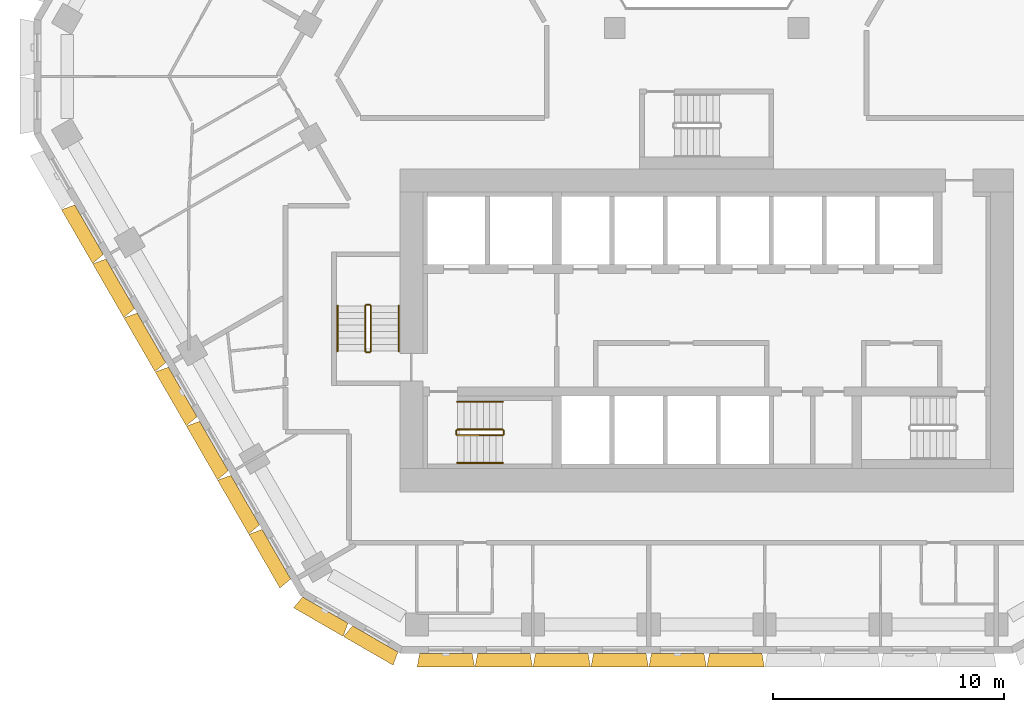
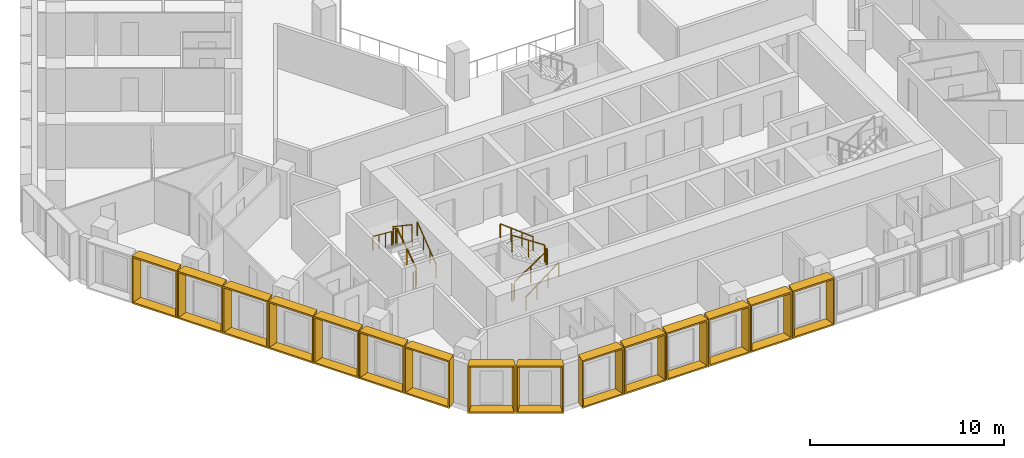
# One storey, part 15 of 18: 15 shading devices, 12 railings.
"""IFC4 building model written with IfcOpenShell, lengths in metres."""

import ifcopenshell
import ifcopenshell.guid

model = None  # the IFC model being written
_history = None  # IfcOwnerHistory: only IFC2X3 demands one
_inside = {}  # id of a spatial element -> (the spatial element, [elements in it])
_under = {}  # id of a project, library or spatial element -> (it, [spatial elements below it])
_declared = {}  # id of a project -> (the project, [libraries it declares])
_typed = {}  # id of a type object -> (the type object, [elements of that type])
_made_of = {}  # id of a material, layer set ... -> (it, [elements and type objects made of it])


def new_model(schema):
    """Start an empty IFC model of exactly this schema.

    Asked for "IFC4X3", IfcOpenShell would pick the latest addendum, in which some entities
    have other attributes; the version numbers below select the first issue.
    IFC2X3 requires an IfcOwnerHistory on every rooted entity: one is made here for all.
    """
    global model, _history
    if schema == "IFC4X3":
        model = ifcopenshell.file(schema_version=(4, 3, 0, 0))
    else:
        model = ifcopenshell.file(schema=schema)
    _inside.clear()
    _under.clear()
    _declared.clear()
    _typed.clear()
    _made_of.clear()
    _history = None
    if model.schema == "IFC2X3":
        org = make("IfcOrganization", Name="unknown")
        user = make(
            "IfcPersonAndOrganization",
            ThePerson=make("IfcPerson", FamilyName="unknown"),
            TheOrganization=org,
        )
        app = make(
            "IfcApplication",
            ApplicationDeveloper=org,
            Version="unknown",
            ApplicationFullName="unknown",
            ApplicationIdentifier="unknown",
        )
        _history = make(
            "IfcOwnerHistory",
            OwningUser=user,
            OwningApplication=app,
            ChangeAction="ADDED",
            CreationDate=0,
        )
    return model


def make(cls, **values):
    """One entity of the class cls with the attributes given. An attribute that is None is left unset."""
    return model.create_entity(
        cls, **{name: value for name, value in values.items() if value is not None}
    )


def entity(cls, *values):
    """Any entity or typed value of the class cls, its attributes in the order of the schema. None: left unset."""
    e = model.create_entity(cls)
    for i, value in enumerate(values):
        if value is not None:
            e[i] = value
    return e


def rooted(cls, **values):
    """An entity with a GlobalId (a new one), such as an element, a storey or a relation."""
    return make(cls, GlobalId=ifcopenshell.guid.new(), OwnerHistory=_history, **values)


def si_unit(unit_type, name, prefix=None):
    """IfcSIUnit, for example si_unit("LENGTHUNIT", "METRE", prefix="MILLI")."""
    return make("IfcSIUnit", UnitType=unit_type, Prefix=prefix, Name=name)


def assignment(units):
    """IfcUnitAssignment: the units of a project."""
    return None if units is None else make("IfcUnitAssignment", Units=units)


def point(xyz):
    """IfcCartesianPoint."""
    return None if xyz is None else make("IfcCartesianPoint", Coordinates=xyz)


def direction(xyz):
    """IfcDirection."""
    return None if xyz is None else make("IfcDirection", DirectionRatios=xyz)


def frame(location, z_axis=None, x_axis=None):
    """IfcAxis2Placement3D, a coordinate frame: its origin and axes. An axis left out is left unset."""
    return make(
        "IfcAxis2Placement3D",
        Location=point(location),
        Axis=direction(z_axis),
        RefDirection=direction(x_axis),
    )


def frame_2d(location, x_axis=None):
    """IfcAxis2Placement2D, a coordinate frame in the plane: its origin and x axis."""
    return make(
        "IfcAxis2Placement2D", Location=point(location), RefDirection=direction(x_axis)
    )


def origin():
    """The frame at (0, 0, 0) with its axes left unset."""
    return frame((0.0, 0.0, 0.0))


def origin_2d():
    """The frame at (0, 0) in the plane with its x axis left unset."""
    return frame_2d((0.0, 0.0))


def place(relative_to, where):
    """IfcLocalPlacement: puts the frame where relative to a parent placement (None: the world)."""
    return make(
        "IfcLocalPlacement", PlacementRelTo=relative_to, RelativePlacement=where
    )


def context(
    kind, dimensions, precision=None, world=None, true_north=None, identifier=None
):
    """IfcGeometricRepresentationContext, for example the 3D "Model" context."""
    return make(
        "IfcGeometricRepresentationContext",
        ContextIdentifier=identifier,
        ContextType=kind,
        CoordinateSpaceDimension=dimensions,
        Precision=precision,
        WorldCoordinateSystem=world,
        TrueNorth=true_north,
    )


def subcontext(parent, identifier, kind, view, scale=None):
    """IfcGeometricRepresentationSubContext, for example "Body" below "Model"."""
    return make(
        "IfcGeometricRepresentationSubContext",
        ContextIdentifier=identifier,
        ContextType=kind,
        ParentContext=parent,
        TargetScale=scale,
        TargetView=view,
    )


def project(units=None, contexts=None):
    """IfcProject with its units and contexts."""
    return rooted(
        "IfcProject",
        Name="project",
        RepresentationContexts=contexts,
        UnitsInContext=assignment(units),
    )


def spatial(cls, under=None, at=None, **own):
    """A site, building, storey or space (cls), placed at a placement, below another one or the project."""
    s = rooted(cls, ObjectPlacement=at, **own)
    if under is not None:
        _under.setdefault(under.id(), (under, []))[1].append(s)
    return s


def profile(cls, at=None, kind="AREA", **sizes):
    """A parametric profile (cls). Its sizes go by their IFC names, for example OverallWidth=200.0."""
    return make(cls, ProfileType=kind, Position=at, **sizes)


def rectangle(**sizes):
    """IfcRectangleProfileDef."""
    return profile("IfcRectangleProfileDef", **sizes)


def extrude(swept, where, along, depth):
    """IfcExtrudedAreaSolid: the profile swept, set in the frame where, extruded along a direction by depth."""
    return make(
        "IfcExtrudedAreaSolid",
        SweptArea=swept,
        Position=where,
        ExtrudedDirection=direction(along),
        Depth=depth,
    )


def shape(context_of_items, identifier, shape_type, items):
    """IfcShapeRepresentation: the items that make up one representation, for example the "Body"."""
    return make(
        "IfcShapeRepresentation",
        ContextOfItems=context_of_items,
        RepresentationIdentifier=identifier,
        RepresentationType=shape_type,
        Items=items,
    )


def source(mapping_origin, context_of_items, identifier, shape_type, items):
    """IfcRepresentationMap: a shape defined once, which mapped items show again and again."""
    return make(
        "IfcRepresentationMap",
        MappingOrigin=mapping_origin,
        MappedRepresentation=shape(context_of_items, identifier, shape_type, items),
    )


def transform(
    local_origin,
    x_axis=None,
    y_axis=None,
    z_axis=None,
    scale=None,
    scale2=None,
    scale3=None,
    uniform=True,
):
    """IfcCartesianTransformationOperator3D, or its non-uniform kind. x_axis, y_axis, z_axis: its Axis1, 2, 3."""
    if uniform:
        return make(
            "IfcCartesianTransformationOperator3D",
            Axis1=direction(x_axis),
            Axis2=direction(y_axis),
            LocalOrigin=point(local_origin),
            Scale=scale,
            Axis3=direction(z_axis),
        )
    return make(
        "IfcCartesianTransformationOperator3DnonUniform",
        Axis1=direction(x_axis),
        Axis2=direction(y_axis),
        LocalOrigin=point(local_origin),
        Scale=scale,
        Axis3=direction(z_axis),
        Scale2=scale2,
        Scale3=scale3,
    )


def mapped(mapping_source, mapping_target):
    """IfcMappedItem: shows the shape of a source again, moved by a transform."""
    return make(
        "IfcMappedItem", MappingSource=mapping_source, MappingTarget=mapping_target
    )


def material(Name=None, Category=None):
    """IfcMaterial."""
    return make("IfcMaterial", Name=Name, Category=Category)


def made_of(thing, what):
    """Note that an element or type object is made of a material, layer set ...; save() writes the relation."""
    if what is not None:
        _made_of.setdefault(what.id(), (what, []))[1].append(thing)
    return thing


def type_object(cls, material=None, **own):
    """A type object (cls), such as IfcWallType, which elements share."""
    return made_of(rooted(cls, **own), material)


def type_shapes(of_type, sources):
    """Give a type object the sources (RepresentationMaps) that its elements show as mapped items."""
    of_type.RepresentationMaps = sources


def element(
    cls,
    number,
    at=None,
    inside=None,
    cuts=None,
    type_object=None,
    material=None,
    context=None,
    identifier="Body",
    shape_type=None,
    held_by="IfcProductDefinitionShape",
    body=None,
    shapes=None,
    **own,
):
    """One element of the class cls, such as IfcWall. Its Tag is "e" and its number.

    at: its placement. inside: the storey or other place that contains it. cuts: it is an
    opening in that element (IfcRelVoidsElement). A single representation is given by context,
    identifier, shape_type and body (its items); several are given by shapes. held_by: the class
    of the entity that holds the representations. save() writes the other relations.
    """
    e = rooted(cls, Tag="e%d" % number, ObjectPlacement=at, **own)
    if body is not None:
        shapes = [shape(context, identifier, shape_type, body)]
    if shapes is not None:
        e.Representation = make(held_by, Representations=shapes)
    if inside is not None:
        _inside.setdefault(inside.id(), (inside, []))[1].append(e)
    if cuts is not None:
        rooted(
            "IfcRelVoidsElement", RelatingBuildingElement=cuts, RelatedOpeningElement=e
        )
    if type_object is not None:
        _typed.setdefault(type_object.id(), (type_object, []))[1].append(e)
    return made_of(e, material)


def aggregate(whole, parts):
    """IfcRelAggregates: a whole, such as a stair, and the parts it consists of."""
    return rooted("IfcRelAggregates", RelatingObject=whole, RelatedObjects=parts)


def save(model, path):
    """Write the relations noted so far, then the file.

    IfcRelAggregates (storeys below a building ...), IfcRelContainedInSpatialStructure (elements
    in a storey), IfcRelDefinesByType, IfcRelAssociatesMaterial and IfcRelDeclares: one each for
    every whole, place, type object, material and project.
    """
    for whole, parts in _under.values():
        aggregate(whole, parts)
    for where, things in _inside.values():
        rooted(
            "IfcRelContainedInSpatialStructure",
            RelatedElements=things,
            RelatingStructure=where,
        )
    for kind, things in _typed.values():
        rooted("IfcRelDefinesByType", RelatedObjects=things, RelatingType=kind)
    for what, things in _made_of.values():
        rooted("IfcRelAssociatesMaterial", RelatedObjects=things, RelatingMaterial=what)
    for by, libraries in _declared.values():
        rooted("IfcRelDeclares", RelatingContext=by, RelatedDefinitions=libraries)
    model.write(path)


model = new_model("IFC4")

# Units and contexts
model_context = context("Model", 3, precision=1e-05, world=origin(), true_north=direction((0.0, 1.0)))
body_context = subcontext(model_context, "Body", "Model", "MODEL_VIEW")
ifc_project = project(units=[si_unit("LENGTHUNIT", "METRE"), si_unit("AREAUNIT", "SQUARE_METRE"), si_unit("VOLUMEUNIT", "CUBIC_METRE"), si_unit("PLANEANGLEUNIT", "RADIAN"), si_unit("MASSUNIT", "GRAM", prefix="KILO")], contexts=[model_context])

# Site, building, storey
site_placement = place(None, origin())
site = spatial("IfcSite", under=ifc_project, at=site_placement, CompositionType="ELEMENT")
building_placement = place(site_placement, origin())
building = spatial("IfcBuilding", under=site, at=building_placement, Name="Beryl Residences", CompositionType="ELEMENT")
storey_placement = place(building_placement, frame((0.0, 0.0, 81.0)))
storey = spatial("IfcBuildingStorey", under=building, at=storey_placement, Name="L24", CompositionType="ELEMENT", Elevation=81.0)

# Shading devices
ifc_material_1 = material(Name="Aluminium pale anodised", Category="aluminium")
shading_device_type_1 = type_object("IfcShadingDeviceType", Name="FR250-60A OUTER SKIN frame 600 mm deep, splay 10/10 deg, 2500 x 3000 mm cell", PredefinedType="USERDEFINED", material=ifc_material_1)
cartesian_point_1 = entity("IfcCartesianPoint", [-1.134033203125, 0.0])
cartesian_point_2 = entity("IfcCartesianPoint", [-1.052734375, 0.10009765625])
cartesian_point_3 = entity("IfcCartesianPoint", [-1.23974609375, 0.0])
cartesian_point_4 = entity("IfcCartesianPoint", [-1.158447265625, 0.10009765625])
shared_shape_1 = source(origin(), body_context, "Body", "SweptSolid", [
    entity("IfcExtrudedAreaSolidTapered", entity("IfcArbitraryProfileDefWithVoids", "AREA", None, entity("IfcPolyline", [cartesian_point_1, entity("IfcCartesianPoint", [1.134033203125, 0.0]), entity("IfcCartesianPoint", [1.134033203125, 3.0]), entity("IfcCartesianPoint", [-1.134033203125, 3.0]), cartesian_point_1]), [entity("IfcPolyline", [cartesian_point_2, entity("IfcCartesianPoint", [1.052734375, 0.10009765625]), entity("IfcCartesianPoint", [1.052734375, 2.89990234375]), entity("IfcCartesianPoint", [-1.052734375, 2.89990234375]), cartesian_point_2])]), entity("IfcAxis2Placement3D", entity("IfcCartesianPoint", [0.0, 0.0, 0.0]), entity("IfcDirection", [0.0, 1.0, 0.0]), entity("IfcDirection", [-1.0, 0.0, 0.0])), entity("IfcDirection", [0.0, 0.0, 1.0]), 0.60009765625, entity("IfcArbitraryProfileDefWithVoids", "AREA", None, entity("IfcPolyline", [cartesian_point_3, entity("IfcCartesianPoint", [1.23974609375, 0.0]), entity("IfcCartesianPoint", [1.23974609375, 3.0]), entity("IfcCartesianPoint", [-1.23974609375, 3.0]), cartesian_point_3]), [entity("IfcPolyline", [cartesian_point_4, entity("IfcCartesianPoint", [1.158447265625, 0.10009765625]), entity("IfcCartesianPoint", [1.158447265625, 2.89990234375]), entity("IfcCartesianPoint", [-1.158447265625, 2.89990234375]), cartesian_point_4])])),
])
type_shapes(shading_device_type_1, [shared_shape_1])
for number, where, z_axis, x_axis, name in (
    (1, (-16.527099609375, -24.125, 0.0), (0.0, 0.0, 1.0), (-0.866025403784, 0.5, 0.0), "FR250-60A frame L24 SW-S 1"),
    (2, (-14.361083984375, -25.375, 0.0), (0.0, 0.0, 1.0), (-0.866025403784, 0.5, 0.0), "FR250-60A frame L24 SW-S 2"),
):
    element("IfcShadingDevice", number, at=place(storey_placement, frame(where, z_axis=z_axis, x_axis=x_axis)), inside=storey, type_object=shading_device_type_1, Name=name, ObjectType="OUTER SKIN", PredefinedType="USERDEFINED", context=body_context, shape_type="MappedRepresentation", body=[
        mapped(shared_shape_1, transform((0.0, 0.0, 0.0))),
    ])
ifc_material_2 = material(Name="Aluminium pale anodised", Category="aluminium")
shading_device_type_2 = type_object("IfcShadingDeviceType", Name="FR251-60A OUTER SKIN frame 600 mm deep, splay 10/10 deg, 2510 x 3000 mm cell", PredefinedType="USERDEFINED", material=ifc_material_2)
cartesian_point_5 = entity("IfcCartesianPoint", [-1.138916015625, 0.0])
cartesian_point_6 = entity("IfcCartesianPoint", [-1.057861328125, 0.10009765625])
cartesian_point_7 = entity("IfcCartesianPoint", [-1.244873046875, 0.0])
cartesian_point_8 = entity("IfcCartesianPoint", [-1.16357421875, 0.10009765625])
shared_shape_2 = source(origin(), body_context, "Body", "SweptSolid", [
    entity("IfcExtrudedAreaSolidTapered", entity("IfcArbitraryProfileDefWithVoids", "AREA", None, entity("IfcPolyline", [cartesian_point_5, entity("IfcCartesianPoint", [1.138916015625, 0.0]), entity("IfcCartesianPoint", [1.138916015625, 3.0]), entity("IfcCartesianPoint", [-1.138916015625, 3.0]), cartesian_point_5]), [entity("IfcPolyline", [cartesian_point_6, entity("IfcCartesianPoint", [1.057861328125, 0.10009765625]), entity("IfcCartesianPoint", [1.057861328125, 2.89990234375]), entity("IfcCartesianPoint", [-1.057861328125, 2.89990234375]), cartesian_point_6])]), entity("IfcAxis2Placement3D", entity("IfcCartesianPoint", [0.0, 0.0, 0.0]), entity("IfcDirection", [0.0, 1.0, 0.0]), entity("IfcDirection", [-1.0, 0.0, 0.0])), entity("IfcDirection", [0.0, 0.0, 1.0]), 0.60009765625, entity("IfcArbitraryProfileDefWithVoids", "AREA", None, entity("IfcPolyline", [cartesian_point_7, entity("IfcCartesianPoint", [1.244873046875, 0.0]), entity("IfcCartesianPoint", [1.244873046875, 3.0]), entity("IfcCartesianPoint", [-1.244873046875, 3.0]), cartesian_point_7]), [entity("IfcPolyline", [cartesian_point_8, entity("IfcCartesianPoint", [1.16357421875, 0.10009765625]), entity("IfcCartesianPoint", [1.16357421875, 2.89990234375]), entity("IfcCartesianPoint", [-1.16357421875, 2.89990234375]), cartesian_point_8])])),
])
type_shapes(shading_device_type_2, [shared_shape_2])
for number, where, z_axis, x_axis, name in (
    (3, (-11.301025390625, -26.0, 0.0), (0.0, 0.0, 1.0), (-1.0, 0.0, 0.0), "FR251-60A frame L24 S 1"),
    (4, (-8.7900390625, -26.0, 0.0), (0.0, 0.0, 1.0), (-1.0, 0.0, 0.0), "FR251-60A frame L24 S 2"),
    (5, (-6.278076171875, -26.0, 0.0), (0.0, 0.0, 1.0), (-1.0, 0.0, 0.0), "FR251-60A frame L24 S 3"),
    (6, (-3.76708984375, -26.0, 0.0), (0.0, 0.0, 1.0), (-1.0, 0.0, 0.0), "FR251-60A frame L24 S 4"),
    (7, (-1.2548828125, -26.0, 0.0), (0.0, 0.0, 1.0), (-1.0, 0.0, 0.0), "FR251-60A frame L24 S 5"),
    (8, (1.256103515625, -26.0, 0.0), (0.0, 0.0, 1.0), (-1.0, 0.0, 0.0), "FR251-60A frame L24 S 6"),
):
    element("IfcShadingDevice", number, at=place(storey_placement, frame(where, z_axis=z_axis, x_axis=x_axis)), inside=storey, type_object=shading_device_type_2, Name=name, ObjectType="OUTER SKIN", PredefinedType="USERDEFINED", context=body_context, shape_type="MappedRepresentation", body=[
        mapped(shared_shape_2, transform((0.0, 0.0, 0.0))),
    ])
ifc_material_3 = material(Name="Aluminium pale anodised", Category="aluminium")
shading_device_type_3 = type_object("IfcShadingDeviceType", Name="FR271-60A OUTER SKIN frame 600 mm deep, splay 10/10 deg, 2710 x 3000 mm cell", PredefinedType="USERDEFINED", material=ifc_material_3)
cartesian_point_9 = entity("IfcCartesianPoint", [-1.239013671875, 0.0])
cartesian_point_10 = entity("IfcCartesianPoint", [-1.15771484375, 0.10009765625])
cartesian_point_11 = entity("IfcCartesianPoint", [-1.3447265625, 0.0])
cartesian_point_12 = entity("IfcCartesianPoint", [-1.263671875, 0.10009765625])
shared_shape_3 = source(origin(), body_context, "Body", "SweptSolid", [
    entity("IfcExtrudedAreaSolidTapered", entity("IfcArbitraryProfileDefWithVoids", "AREA", None, entity("IfcPolyline", [cartesian_point_9, entity("IfcCartesianPoint", [1.239013671875, 0.0]), entity("IfcCartesianPoint", [1.239013671875, 3.0]), entity("IfcCartesianPoint", [-1.239013671875, 3.0]), cartesian_point_9]), [entity("IfcPolyline", [cartesian_point_10, entity("IfcCartesianPoint", [1.15771484375, 0.10009765625]), entity("IfcCartesianPoint", [1.15771484375, 2.89990234375]), entity("IfcCartesianPoint", [-1.15771484375, 2.89990234375]), cartesian_point_10])]), entity("IfcAxis2Placement3D", entity("IfcCartesianPoint", [0.0, 0.0, 0.0]), entity("IfcDirection", [0.0, 1.0, 0.0]), entity("IfcDirection", [-1.0, 0.0, 0.0])), entity("IfcDirection", [0.0, 0.0, 1.0]), 0.60009765625, entity("IfcArbitraryProfileDefWithVoids", "AREA", None, entity("IfcPolyline", [cartesian_point_11, entity("IfcCartesianPoint", [1.3447265625, 0.0]), entity("IfcCartesianPoint", [1.3447265625, 3.0]), entity("IfcCartesianPoint", [-1.3447265625, 3.0]), cartesian_point_11]), [entity("IfcPolyline", [cartesian_point_12, entity("IfcCartesianPoint", [1.263671875, 0.10009765625]), entity("IfcCartesianPoint", [1.263671875, 2.89990234375]), entity("IfcCartesianPoint", [-1.263671875, 2.89990234375]), cartesian_point_12])])),
])
type_shapes(shading_device_type_3, [shared_shape_3])
for number, where, z_axis, x_axis, name in (
    (9, (-26.76611328125, -7.639892578125, 0.0), (0.0, 0.0, 1.0), (-0.5, 0.866025403784, 0.0), "FR271-60A frame L24 SW 2"),
    (10, (-25.4130859375, -9.98388671875, 0.0), (0.0, 0.0, 1.0), (-0.5, 0.866025403784, 0.0), "FR271-60A frame L24 SW 3"),
    (11, (-24.06005859375, -12.327880859375, 0.0), (0.0, 0.0, 1.0), (-0.5, 0.866025403784, 0.0), "FR271-60A frame L24 SW 4"),
    (12, (-22.7060546875, -14.672119140625, 0.0), (0.0, 0.0, 1.0), (-0.5, 0.866025403784, 0.0), "FR271-60A frame L24 SW 5"),
    (13, (-21.35302734375, -17.01611328125, 0.0), (0.0, 0.0, 1.0), (-0.5, 0.866025403784, 0.0), "FR271-60A frame L24 SW 6"),
    (14, (-20.0, -19.360107421875, 0.0), (0.0, 0.0, 1.0), (-0.5, 0.866025403784, 0.0), "FR271-60A frame L24 SW 7"),
    (15, (-18.64697265625, -21.7041015625, 0.0), (0.0, 0.0, 1.0), (-0.5, 0.866025403784, 0.0), "FR271-60A frame L24 SW 8"),
):
    element("IfcShadingDevice", number, at=place(storey_placement, frame(where, z_axis=z_axis, x_axis=x_axis)), inside=storey, type_object=shading_device_type_3, Name=name, ObjectType="OUTER SKIN", PredefinedType="USERDEFINED", context=body_context, shape_type="MappedRepresentation", body=[
        mapped(shared_shape_3, transform((0.0, 0.0, 0.0))),
    ])

# Railings
ifc_material_4 = material(Name="Stainless steel balustrade with glass infill", Category="steel")
railing_type_1 = type_object("IfcRailingType", Name="SG1 stair guard 1100 mm", PredefinedType="GUARDRAIL", material=ifc_material_4)
railing_1_placement = place(storey_placement, frame((-10.800048828125, -16.550048828125, 0.1875)))
element("IfcRailing", 16, at=railing_1_placement, inside=storey, type_object=railing_type_1, Name="L24 ST-1 stair guard 1", PredefinedType="GUARDRAIL", context=body_context, shape_type="SweptSolid", body=[
    extrude(rectangle(XDim=0.048095703125, YDim=0.048095703125, at=origin_2d()), frame((0.0, 0.0, 1.076171875), z_axis=(0.830902050051, 0.0, 0.556418712142), x_axis=(0.0, 1.0, 0.0)), (0.0, 0.0, 1.0), 2.35888671875),
    extrude(rectangle(XDim=0.0419921875, YDim=0.0419921875, at=origin_2d()), origin(), (0.0, 0.0, 1.0), 1.052001953125),
    extrude(rectangle(XDim=0.0419921875, YDim=0.0419921875, at=origin_2d()), frame((0.97998046875, 0.0, 0.65625)), (0.0, 0.0, 1.0), 1.052001953125),
    extrude(rectangle(XDim=0.0419921875, YDim=0.0419921875, at=origin_2d()), frame((1.9599609375, 0.0, 1.3125)), (0.0, 0.0, 1.0), 1.052001953125),
])
railing_2_placement = place(storey_placement, frame((-8.7900390625, -16.5, 1.5)))
element("IfcRailing", 17, at=railing_2_placement, inside=storey, type_object=railing_type_1, Name="L24 ST-1 stair guard 2", PredefinedType="GUARDRAIL", context=body_context, shape_type="SweptSolid", body=[
    extrude(rectangle(XDim=0.048095703125, YDim=0.048095703125, at=origin_2d()), frame((0.0, 0.0, 1.076171875), z_axis=(0.0, 1.0, 0.0), x_axis=(-1.0, 0.0, 0.0)), (0.0, 0.0, 1.0), 0.14990234375),
    extrude(rectangle(XDim=0.0419921875, YDim=0.0419921875, at=origin_2d()), origin(), (0.0, 0.0, 1.0), 1.052001953125),
    extrude(rectangle(XDim=0.0419921875, YDim=0.0419921875, at=origin_2d()), frame((0.0, 0.14990234375, 0.0)), (0.0, 0.0, 1.0), 1.052001953125),
])
railing_3_placement = place(storey_placement, frame((-8.840087890625, -16.300048828125, 1.6875)))
element("IfcRailing", 18, at=railing_3_placement, inside=storey, type_object=railing_type_1, Name="L24 ST-1 stair guard 3", PredefinedType="GUARDRAIL", context=body_context, shape_type="SweptSolid", body=[
    extrude(rectangle(XDim=0.048095703125, YDim=0.048095703125, at=origin_2d()), frame((0.0, 0.0, 1.076171875), z_axis=(-0.830902050051, 0.0, 0.556418712142), x_axis=(0.0, -1.0, 0.0)), (0.0, 0.0, 1.0), 2.35888671875),
    extrude(rectangle(XDim=0.0419921875, YDim=0.0419921875, at=origin_2d()), origin(), (0.0, 0.0, 1.0), 1.052001953125),
    extrude(rectangle(XDim=0.0419921875, YDim=0.0419921875, at=origin_2d()), frame((-0.97998046875, 0.0, 0.65625)), (0.0, 0.0, 1.0), 1.052001953125),
    extrude(rectangle(XDim=0.0419921875, YDim=0.0419921875, at=origin_2d()), frame((-1.9599609375, 0.0, 1.3125)), (0.0, 0.0, 1.0), 1.052001953125),
])
railing_4_placement = place(storey_placement, frame((-10.85009765625, -16.5, 0.0)))
element("IfcRailing", 19, at=railing_4_placement, inside=storey, type_object=railing_type_1, Name="L24 ST-1 stair guard 4", PredefinedType="GUARDRAIL", context=body_context, shape_type="SweptSolid", body=[
    extrude(rectangle(XDim=0.048095703125, YDim=0.048095703125, at=origin_2d()), frame((0.0, 0.0, 1.076171875), z_axis=(0.0, 1.0, 0.0), x_axis=(-1.0, 0.0, 0.0)), (0.0, 0.0, 1.0), 0.14990234375),
    extrude(rectangle(XDim=0.0419921875, YDim=0.0419921875, at=origin_2d()), origin(), (0.0, 0.0, 1.0), 1.052001953125),
    extrude(rectangle(XDim=0.0419921875, YDim=0.0419921875, at=origin_2d()), frame((0.0, 0.14990234375, 0.0)), (0.0, 0.0, 1.0), 1.052001953125),
])
railing_5_placement = place(storey_placement, frame((-14.550048828125, -12.89990234375, 0.1875)))
element("IfcRailing", 20, at=railing_5_placement, inside=storey, type_object=railing_type_1, Name="L24 ST-2 stair guard 1", PredefinedType="GUARDRAIL", context=body_context, shape_type="SweptSolid", body=[
    extrude(rectangle(XDim=0.048095703125, YDim=0.048095703125, at=origin_2d()), frame((0.0, 0.0, 1.076171875), z_axis=(0.0, 0.830902050051, 0.556418712142), x_axis=(-1.0, 0.0, 0.0)), (0.0, 0.0, 1.0), 2.35888671875),
    extrude(rectangle(XDim=0.0419921875, YDim=0.0419921875, at=origin_2d()), origin(), (0.0, 0.0, 1.0), 1.052001953125),
    extrude(rectangle(XDim=0.0419921875, YDim=0.0419921875, at=origin_2d()), frame((0.0, 0.97998046875, 0.65625)), (0.0, 0.0, 1.0), 1.052001953125),
    extrude(rectangle(XDim=0.0419921875, YDim=0.0419921875, at=origin_2d()), frame((0.0, 1.9599609375, 1.3125)), (0.0, 0.0, 1.0), 1.052001953125),
])
railing_6_placement = place(storey_placement, frame((-14.60009765625, -10.889892578125, 1.5)))
element("IfcRailing", 21, at=railing_6_placement, inside=storey, type_object=railing_type_1, Name="L24 ST-2 stair guard 2", PredefinedType="GUARDRAIL", context=body_context, shape_type="SweptSolid", body=[
    extrude(rectangle(XDim=0.048095703125, YDim=0.048095703125, at=origin_2d()), frame((0.0, 0.0, 1.076171875), z_axis=(-1.0, 0.0, 0.0), x_axis=(0.0, -1.0, 0.0)), (0.0, 0.0, 1.0), 0.14990234375),
    extrude(rectangle(XDim=0.0419921875, YDim=0.0419921875, at=origin_2d()), origin(), (0.0, 0.0, 1.0), 1.052001953125),
    extrude(rectangle(XDim=0.0419921875, YDim=0.0419921875, at=origin_2d()), frame((-0.14990234375, 0.0, 0.0)), (0.0, 0.0, 1.0), 1.052001953125),
])
railing_7_placement = place(storey_placement, frame((-14.800048828125, -10.93994140625, 1.6875)))
element("IfcRailing", 22, at=railing_7_placement, inside=storey, type_object=railing_type_1, Name="L24 ST-2 stair guard 3", PredefinedType="GUARDRAIL", context=body_context, shape_type="SweptSolid", body=[
    extrude(rectangle(XDim=0.048095703125, YDim=0.048095703125, at=origin_2d()), frame((0.0, 0.0, 1.076171875), z_axis=(0.0, -0.830902050051, 0.556418712142), x_axis=(1.0, 0.0, 0.0)), (0.0, 0.0, 1.0), 2.35888671875),
    extrude(rectangle(XDim=0.0419921875, YDim=0.0419921875, at=origin_2d()), origin(), (0.0, 0.0, 1.0), 1.052001953125),
    extrude(rectangle(XDim=0.0419921875, YDim=0.0419921875, at=origin_2d()), frame((0.0, -0.97998046875, 0.65625)), (0.0, 0.0, 1.0), 1.052001953125),
    extrude(rectangle(XDim=0.0419921875, YDim=0.0419921875, at=origin_2d()), frame((0.0, -1.9599609375, 1.3125)), (0.0, 0.0, 1.0), 1.052001953125),
])
railing_8_placement = place(storey_placement, frame((-14.60009765625, -12.949951171875, 0.0)))
element("IfcRailing", 23, at=railing_8_placement, inside=storey, type_object=railing_type_1, Name="L24 ST-2 stair guard 4", PredefinedType="GUARDRAIL", context=body_context, shape_type="SweptSolid", body=[
    extrude(rectangle(XDim=0.048095703125, YDim=0.048095703125, at=origin_2d()), frame((0.0, 0.0, 1.076171875), z_axis=(-1.0, 0.0, 0.0), x_axis=(0.0, -1.0, 0.0)), (0.0, 0.0, 1.0), 0.14990234375),
    extrude(rectangle(XDim=0.0419921875, YDim=0.0419921875, at=origin_2d()), origin(), (0.0, 0.0, 1.0), 1.052001953125),
    extrude(rectangle(XDim=0.0419921875, YDim=0.0419921875, at=origin_2d()), frame((-0.14990234375, 0.0, 0.0)), (0.0, 0.0, 1.0), 1.052001953125),
])
ifc_material_5 = material(Name="Stainless steel handrail", Category="steel")
railing_type_2 = type_object("IfcRailingType", Name="SRL1 stair handrail 900 mm", PredefinedType="HANDRAIL", material=ifc_material_5)
railing_9_placement = place(storey_placement, frame((-10.800048828125, -17.75, 0.1875)))
element("IfcRailing", 24, at=railing_9_placement, inside=storey, type_object=railing_type_2, Name="L24 ST-1 stair handrail 1", PredefinedType="HANDRAIL", context=body_context, shape_type="SweptSolid", body=[
    extrude(rectangle(XDim=0.048095703125, YDim=0.048095703125, at=origin_2d()), frame((0.0, 0.0, 0.8759765625), z_axis=(0.794121922505, 0.0, 0.607758481798), x_axis=(0.0, 1.0, 0.0)), (0.0, 0.0, 1.0), 2.468017578125),
    extrude(rectangle(XDim=0.0419921875, YDim=0.0419921875, at=origin_2d()), origin(), (0.0, 0.0, 1.0), 0.851806640625),
    extrude(rectangle(XDim=0.0419921875, YDim=0.0419921875, at=origin_2d()), frame((0.6533203125, 0.0, 0.5)), (0.0, 0.0, 1.0), 0.851806640625),
    extrude(rectangle(XDim=0.0419921875, YDim=0.0419921875, at=origin_2d()), frame((1.306640625, 0.0, 1.0)), (0.0, 0.0, 1.0), 0.851806640625),
    extrude(rectangle(XDim=0.0419921875, YDim=0.0419921875, at=origin_2d()), frame((1.9599609375, 0.0, 1.5)), (0.0, 0.0, 1.0), 0.851806640625),
])
railing_10_placement = place(storey_placement, frame((-8.840087890625, -15.10009765625, 1.6875)))
element("IfcRailing", 25, at=railing_10_placement, inside=storey, type_object=railing_type_2, Name="L24 ST-1 stair handrail 2", PredefinedType="HANDRAIL", context=body_context, shape_type="SweptSolid", body=[
    extrude(rectangle(XDim=0.048095703125, YDim=0.048095703125, at=origin_2d()), frame((0.0, 0.0, 0.8759765625), z_axis=(-0.794121922505, 0.0, 0.607758481798), x_axis=(0.0, -1.0, 0.0)), (0.0, 0.0, 1.0), 2.468017578125),
    extrude(rectangle(XDim=0.0419921875, YDim=0.0419921875, at=origin_2d()), origin(), (0.0, 0.0, 1.0), 0.851806640625),
    extrude(rectangle(XDim=0.0419921875, YDim=0.0419921875, at=origin_2d()), frame((-0.6533203125, 0.0, 0.5)), (0.0, 0.0, 1.0), 0.851806640625),
    extrude(rectangle(XDim=0.0419921875, YDim=0.0419921875, at=origin_2d()), frame((-1.306640625, 0.0, 1.0)), (0.0, 0.0, 1.0), 0.851806640625),
    extrude(rectangle(XDim=0.0419921875, YDim=0.0419921875, at=origin_2d()), frame((-1.9599609375, 0.0, 1.5)), (0.0, 0.0, 1.0), 0.851806640625),
])
railing_11_placement = place(storey_placement, frame((-13.35009765625, -12.89990234375, 0.1875)))
element("IfcRailing", 26, at=railing_11_placement, inside=storey, type_object=railing_type_2, Name="L24 ST-2 stair handrail 1", PredefinedType="HANDRAIL", context=body_context, shape_type="SweptSolid", body=[
    extrude(rectangle(XDim=0.048095703125, YDim=0.048095703125, at=origin_2d()), frame((0.0, 0.0, 0.8759765625), z_axis=(0.0, 0.794121922505, 0.607758481798), x_axis=(-1.0, 0.0, 0.0)), (0.0, 0.0, 1.0), 2.468017578125),
    extrude(rectangle(XDim=0.0419921875, YDim=0.0419921875, at=origin_2d()), origin(), (0.0, 0.0, 1.0), 0.851806640625),
    extrude(rectangle(XDim=0.0419921875, YDim=0.0419921875, at=origin_2d()), frame((0.0, 0.6533203125, 0.5)), (0.0, 0.0, 1.0), 0.851806640625),
    extrude(rectangle(XDim=0.0419921875, YDim=0.0419921875, at=origin_2d()), frame((0.0, 1.306640625, 1.0)), (0.0, 0.0, 1.0), 0.851806640625),
    extrude(rectangle(XDim=0.0419921875, YDim=0.0419921875, at=origin_2d()), frame((0.0, 1.9599609375, 1.5)), (0.0, 0.0, 1.0), 0.851806640625),
])
railing_12_placement = place(storey_placement, frame((-16.0, -10.93994140625, 1.6875)))
element("IfcRailing", 27, at=railing_12_placement, inside=storey, type_object=railing_type_2, Name="L24 ST-2 stair handrail 2", PredefinedType="HANDRAIL", context=body_context, shape_type="SweptSolid", body=[
    extrude(rectangle(XDim=0.048095703125, YDim=0.048095703125, at=origin_2d()), frame((0.0, 0.0, 0.8759765625), z_axis=(0.0, -0.794121922505, 0.607758481798), x_axis=(1.0, 0.0, 0.0)), (0.0, 0.0, 1.0), 2.468017578125),
    extrude(rectangle(XDim=0.0419921875, YDim=0.0419921875, at=origin_2d()), origin(), (0.0, 0.0, 1.0), 0.851806640625),
    extrude(rectangle(XDim=0.0419921875, YDim=0.0419921875, at=origin_2d()), frame((0.0, -0.6533203125, 0.5)), (0.0, 0.0, 1.0), 0.851806640625),
    extrude(rectangle(XDim=0.0419921875, YDim=0.0419921875, at=origin_2d()), frame((0.0, -1.306640625, 1.0)), (0.0, 0.0, 1.0), 0.851806640625),
    extrude(rectangle(XDim=0.0419921875, YDim=0.0419921875, at=origin_2d()), frame((0.0, -1.9599609375, 1.5)), (0.0, 0.0, 1.0), 0.851806640625),
])

save(model, "model.ifc")
